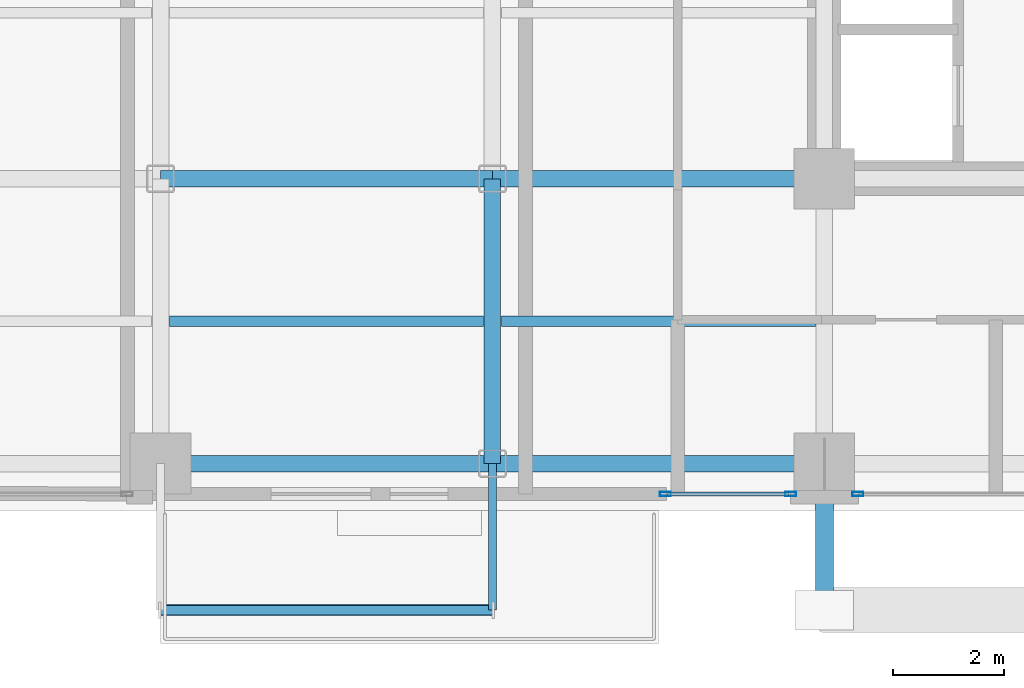
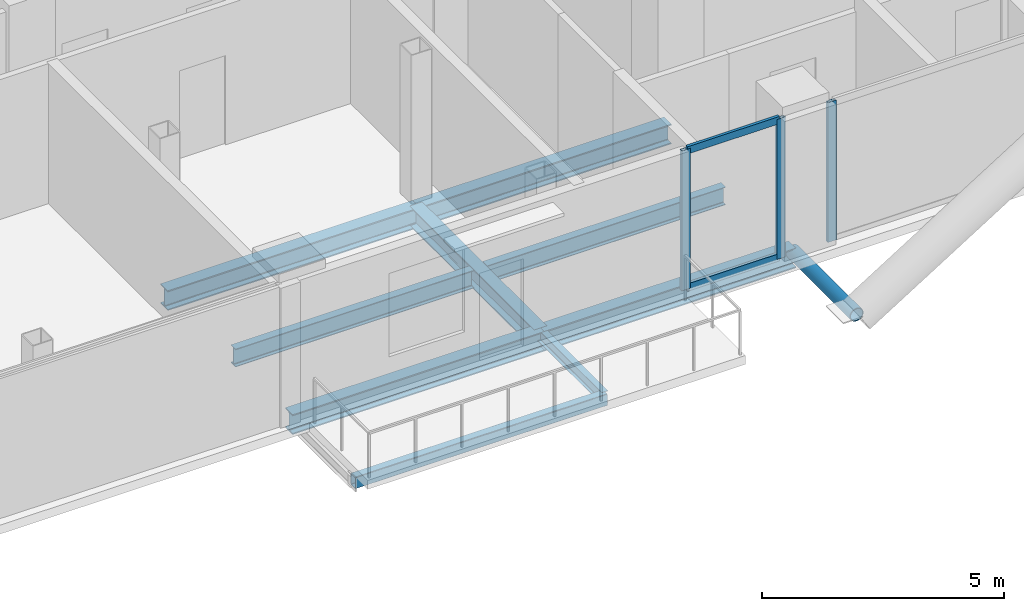
# One storey, part 3 of 24: 9 beams, 6 members, 2 elements without a shape of their own.
"""IFC4 building model written with IfcOpenShell, lengths in metres."""

from ifc_helpers import new_model, si_unit, direction, frame, origin, origin_2d, place, context, subcontext, project, spatial, hollow_rectangle, hollow_circle, i_section, extrude, material, layer, layer_set, material_profile, profile_set, type_object, element, aggregate, save


model = new_model("IFC4")

# Units and contexts
model_context = context("Model", 3, precision=1e-05, world=origin(), true_north=direction((0.0, 1.0)))
body_context = subcontext(model_context, "Body", "Model", "MODEL_VIEW")
ifc_project = project(units=[si_unit("LENGTHUNIT", "METRE"), si_unit("AREAUNIT", "SQUARE_METRE"), si_unit("VOLUMEUNIT", "CUBIC_METRE"), si_unit("PLANEANGLEUNIT", "RADIAN"), si_unit("MASSUNIT", "GRAM", prefix="KILO"), si_unit("THERMODYNAMICTEMPERATUREUNIT", "KELVIN"), si_unit("POWERUNIT", "WATT")], contexts=[model_context])

# Site, building, storey
site_placement = place(None, origin())
site = spatial("IfcSite", under=ifc_project, at=site_placement, CompositionType="ELEMENT")
building_placement = place(site_placement, origin())
building = spatial("IfcBuilding", under=site, at=building_placement, Name="Svarakhadi Broadcast Tower", CompositionType="ELEMENT")
storey_placement = place(building_placement, frame((0.0, 0.0, 130.64990234375)))
storey = spatial("IfcBuildingStorey", under=building, at=storey_placement, Name="L31", CompositionType="ELEMENT", Elevation=130.64990234375)

# Beams
ifc_material_1 = material(Name="Steel S355J2 (IS 2062 E350C)", Category="steel")
ifc_material_profile_1 = material_profile(ifc_material_1, i_section(OverallWidth=0.18994140625, OverallDepth=0.449951171875, WebThickness=0.009521484375, FlangeThickness=0.0146484375, FilletRadius=0.02099609375, at=origin_2d()), Name="NPB 450x190x78")
ifc_profile_set_1 = profile_set([ifc_material_profile_1], Name="Steel S355J2 (IS 2062 E350C)")
beam_type_1 = type_object("IfcBeamType", Name="Beam_NPB450", PredefinedType="BEAM", material=ifc_profile_set_1)
for number, where, z_axis, x_axis, name in (
    (1, (12.159912109375, 3.425048828125, -0.449951171875), (1.0, 0.0, 0.0), (0.0, 1.0, 0.0), "L31 Secondary Composite Beam SB011"),
    (2, (18.159912109375, 3.425048828125, -0.449951171875), (1.0, 0.0, 0.0), (0.0, 1.0, 0.0), "L31 Secondary Composite Beam SB016"),
):
    element("IfcBeam", number, at=place(storey_placement, frame(where, z_axis=z_axis, x_axis=x_axis)), inside=storey, type_object=beam_type_1, Name=name, PredefinedType="BEAM", context=body_context, shape_type="SweptSolid", body=[
        extrude(i_section(OverallWidth=0.18994140625, OverallDepth=0.449951171875, WebThickness=0.009521484375, FlangeThickness=0.0146484375, FilletRadius=0.02099609375, at=origin_2d()), origin(), (0.0, 0.0, 1.0), 5.68017578125),
    ])

# Curtain wall, member
ifc_material_2 = material(Name="Anodised Bronze Aluminium AA 6063-T6", Category="aluminium")
ifc_layer = layer(ifc_material_2, 0.199951171875)
ifc_layer_set = layer_set([ifc_layer], Name="Anodised Bronze Aluminium AA 6063-T6")
curtain_wall_type = type_object("IfcCurtainWallType", Name="CW_Sys_03", PredefinedType="NOTDEFINED", material=ifc_layer_set)
curtain_wall_1_placement = place(storey_placement, origin())
curtain_wall_1 = element("IfcCurtainWall", 3, at=curtain_wall_1_placement, inside=storey, type_object=curtain_wall_type, Name="L31 South Curtain Wall 16 Bay 3", PredefinedType="NOTDEFINED")
ifc_material_profile_2 = material_profile(ifc_material_2, hollow_rectangle(XDim=0.074951171875, YDim=0.199951171875, WallThickness=0.005615234375, at=origin_2d()), Name="ALU MULLION 200x75x6")
ifc_profile_set_2 = profile_set([ifc_material_profile_2], Name="Anodised Bronze Aluminium AA 6063-T6")
member_type_1 = type_object("IfcMemberType", Name="CW_Sys_03_Mul", PredefinedType="MULLION", material=ifc_profile_set_2)
member_1_placement = place(storey_placement, frame((24.607421875, 0.300048828125, 0.0), z_axis=(0.0, 0.0, 1.0), x_axis=(0.0, -1.0, 0.0)))
member_1 = element("IfcMember", 4, at=member_1_placement, type_object=member_type_1, Name="CW-03 mullion 2", PredefinedType="MULLION", context=body_context, shape_type="SweptSolid", body=[
    extrude(hollow_rectangle(XDim=0.074951171875, YDim=0.199951171875, WallThickness=0.005615234375, at=origin_2d()), origin(), (0.0, 0.0, 1.0), 3.525146484375),
])
aggregate(curtain_wall_1, [member_1])

# Curtain wall, members
curtain_wall_2_placement = place(storey_placement, origin())
curtain_wall_2 = element("IfcCurtainWall", 5, at=curtain_wall_2_placement, inside=storey, type_object=curtain_wall_type, Name="L31 South Curtain Wall 16 Bay 4", PredefinedType="NOTDEFINED")
member_2_placement = place(storey_placement, frame((23.392578125, 0.300048828125, 0.0), z_axis=(0.0, 0.0, 1.0), x_axis=(0.0, -1.0, 0.0)))
member_2 = element("IfcMember", 6, at=member_2_placement, type_object=member_type_1, Name="CW-03 mullion 1", PredefinedType="MULLION", context=body_context, shape_type="SweptSolid", body=[
    extrude(hollow_rectangle(XDim=0.074951171875, YDim=0.199951171875, WallThickness=0.005615234375, at=origin_2d()), origin(), (0.0, 0.0, 1.0), 3.525146484375),
])
member_3_placement = place(storey_placement, frame((21.12744140625, 0.300048828125, 0.0), z_axis=(0.0, 0.0, 1.0), x_axis=(0.0, -1.0, 0.0)))
member_3 = element("IfcMember", 7, at=member_3_placement, type_object=member_type_1, Name="CW-03 mullion 2", PredefinedType="MULLION", context=body_context, shape_type="SweptSolid", body=[
    extrude(hollow_rectangle(XDim=0.074951171875, YDim=0.199951171875, WallThickness=0.005615234375, at=origin_2d()), origin(), (0.0, 0.0, 1.0), 3.525146484375),
])
ifc_material_profile_3 = material_profile(ifc_material_2, hollow_rectangle(XDim=0.070068359375, YDim=0.18505859375, WallThickness=0.0048828125, at=origin_2d()), Name="ALU TRANSOM 185x70x5")
ifc_profile_set_3 = profile_set([ifc_material_profile_3], Name="Anodised Bronze Aluminium AA 6063-T6")
member_type_2 = type_object("IfcMemberType", Name="CW_Sys_03_Trn", PredefinedType="USERDEFINED", material=ifc_profile_set_3)
member_4_placement = place(storey_placement, frame((23.35498046875, 0.300048828125, 0.03515625), z_axis=(-1.0, 0.0, 0.0), x_axis=(0.0, -1.0, 0.0)))
member_4 = element("IfcMember", 8, at=member_4_placement, type_object=member_type_2, Name="CW-03 transom 1.1", ObjectType="TRANSOM", PredefinedType="USERDEFINED", context=body_context, shape_type="SweptSolid", body=[
    extrude(hollow_rectangle(XDim=0.070068359375, YDim=0.18505859375, WallThickness=0.0048828125, at=origin_2d()), origin(), (0.0, 0.0, 1.0), 2.18994140625),
])
member_5_placement = place(storey_placement, frame((23.35498046875, 0.300048828125, 3.489990234375), z_axis=(-1.0, 0.0, 0.0), x_axis=(0.0, -1.0, 0.0)))
member_5 = element("IfcMember", 9, at=member_5_placement, type_object=member_type_2, Name="CW-03 transom 1.2", ObjectType="TRANSOM", PredefinedType="USERDEFINED", context=body_context, shape_type="SweptSolid", body=[
    extrude(hollow_rectangle(XDim=0.070068359375, YDim=0.18505859375, WallThickness=0.0048828125, at=origin_2d()), origin(), (0.0, 0.0, 1.0), 2.18994140625),
])
aggregate(curtain_wall_2, [member_2, member_3, member_4, member_5])

# Member
ifc_material_3 = material(Name="Steel S460ML (IS 2062 E450BR)", Category="steel")
ifc_material_profile_4 = material_profile(ifc_material_3, hollow_circle(Radius=0.161865234375, WallThickness=0.01611328125, at=origin_2d()), Name="CHS 323.9x16")
ifc_profile_set_4 = profile_set([ifc_material_profile_4], Name="Steel S460ML (IS 2062 E450BR)")
member_type_3 = type_object("IfcMemberType", Name="Exo_Radial_Strut_Z2", PredefinedType="STRUT", material=ifc_profile_set_4)
member_6_placement = place(storey_placement, frame((24.0, -1.800048828125, -0.386962890625), z_axis=(0.0, 1.0, 0.0), x_axis=(-1.0, 0.0, 0.0)))
element("IfcMember", 10, at=member_6_placement, inside=storey, type_object=member_type_3, Name="L31 Exoskeleton Radial Tie Strut S01", PredefinedType="STRUT", context=body_context, shape_type="SweptSolid", body=[
    extrude(hollow_circle(Radius=0.161865234375, WallThickness=0.01611328125, at=origin_2d()), origin(), (0.0, 0.0, 1.0), 2.650146484375),
])

# Beams
ifc_material_profile_5 = material_profile(ifc_material_1, i_section(OverallWidth=0.300048828125, OverallDepth=0.5, WebThickness=0.014404296875, FlangeThickness=0.028076171875, FilletRadius=0.027099609375, at=origin_2d()), Name="WPB 500x300x187")
ifc_profile_set_5 = profile_set([ifc_material_profile_5], Name="Steel S355J2 (IS 2062 E350C)")
beam_type_2 = type_object("IfcBeamType", Name="Girder_WPB500", PredefinedType="USERDEFINED", material=ifc_profile_set_5)
for number, where, z_axis, x_axis, name in (
    (11, (12.0, 0.85009765625, -0.474853515625), (1.0, 0.0, 0.0), (0.0, 1.0, 0.0), "L31 Primary E-W Girder G005"),
    (12, (18.0, 0.85009765625, -0.474853515625), (1.0, 0.0, 0.0), (0.0, 1.0, 0.0), "L31 Primary E-W Girder G006"),
    (13, (12.0, 6.0, -0.474853515625), (1.0, 0.0, 0.0), (0.0, 1.0, 0.0), "L31 Primary E-W Girder G012"),
    (14, (18.0, 6.0, -0.474853515625), (1.0, 0.0, 0.0), (0.0, 1.0, 0.0), "L31 Primary E-W Girder G013"),
):
    element("IfcBeam", number, at=place(storey_placement, frame(where, z_axis=z_axis, x_axis=x_axis)), inside=storey, type_object=beam_type_2, Name=name, ObjectType="GIRDER", PredefinedType="USERDEFINED", context=body_context, shape_type="SweptSolid", body=[
        extrude(i_section(OverallWidth=0.300048828125, OverallDepth=0.5, WebThickness=0.014404296875, FlangeThickness=0.028076171875, FilletRadius=0.027099609375, at=origin_2d()), origin(), (0.0, 0.0, 1.0), 6.0),
    ])
beam_1_placement = place(storey_placement, frame((18.0, 0.85009765625, -0.474853515625), z_axis=(0.0, 1.0, 0.0), x_axis=(-1.0, 0.0, 0.0)))
element("IfcBeam", 15, at=beam_1_placement, inside=storey, type_object=beam_type_2, Name="L31 Primary N-S Girder G056", ObjectType="GIRDER", PredefinedType="USERDEFINED", context=body_context, shape_type="SweptSolid", body=[
    extrude(i_section(OverallWidth=0.300048828125, OverallDepth=0.5, WebThickness=0.014404296875, FlangeThickness=0.028076171875, FilletRadius=0.027099609375, at=origin_2d()), origin(), (0.0, 0.0, 1.0), 5.14990234375),
])
ifc_material_profile_6 = material_profile(ifc_material_1, i_section(OverallWidth=0.14990234375, OverallDepth=0.300048828125, WebThickness=0.007080078125, FlangeThickness=0.0107421875, FilletRadius=0.014892578125, at=origin_2d()), Name="NPB 300x150x37")
ifc_profile_set_6 = profile_set([ifc_material_profile_6], Name="Steel S355J2 (IS 2062 E350C)")
beam_type_3 = type_object("IfcBeamType", Name="Spandrel_NPB300", PredefinedType="SPANDREL", material=ifc_profile_set_6)
beam_2_placement = place(storey_placement, frame((18.0, 0.85009765625, -0.375), z_axis=(0.0, -1.0, 0.0), x_axis=(1.0, 0.0, 0.0)))
element("IfcBeam", 16, at=beam_2_placement, inside=storey, type_object=beam_type_3, Name="L31 Balcony Cantilever Bracket 1B", PredefinedType="SPANDREL", context=body_context, shape_type="SweptSolid", body=[
    extrude(i_section(OverallWidth=0.14990234375, OverallDepth=0.300048828125, WebThickness=0.007080078125, FlangeThickness=0.0107421875, FilletRadius=0.014892578125, at=origin_2d()), origin(), (0.0, 0.0, 1.0), 2.650146484375),
])
ifc_material_profile_7 = material_profile(ifc_material_3, hollow_rectangle(XDim=0.199951171875, YDim=0.300048828125, WallThickness=0.012451171875, InnerFilletRadius=0.012451171875, OuterFilletRadius=0.02490234375, at=origin_2d()), Name="RHS 300x200x12.5")
ifc_profile_set_7 = profile_set([ifc_material_profile_7], Name="Steel S460ML (IS 2062 E450BR)")
beam_type_4 = type_object("IfcBeamType", Name="Spandrel_RHS300", PredefinedType="SPANDREL", material=ifc_profile_set_7)
beam_3_placement = place(storey_placement, frame((12.0, -1.800048828125, -0.375), z_axis=(1.0, 0.0, 0.0), x_axis=(0.0, 1.0, 0.0)))
element("IfcBeam", 17, at=beam_3_placement, inside=storey, type_object=beam_type_4, Name="L31 Balcony Outer Spandrel 1F", PredefinedType="SPANDREL", context=body_context, shape_type="SweptSolid", body=[
    extrude(hollow_rectangle(XDim=0.199951171875, YDim=0.300048828125, WallThickness=0.012451171875, InnerFilletRadius=0.012451171875, OuterFilletRadius=0.02490234375, at=origin_2d()), origin(), (0.0, 0.0, 1.0), 6.0),
])

save(model, "model.ifc")
